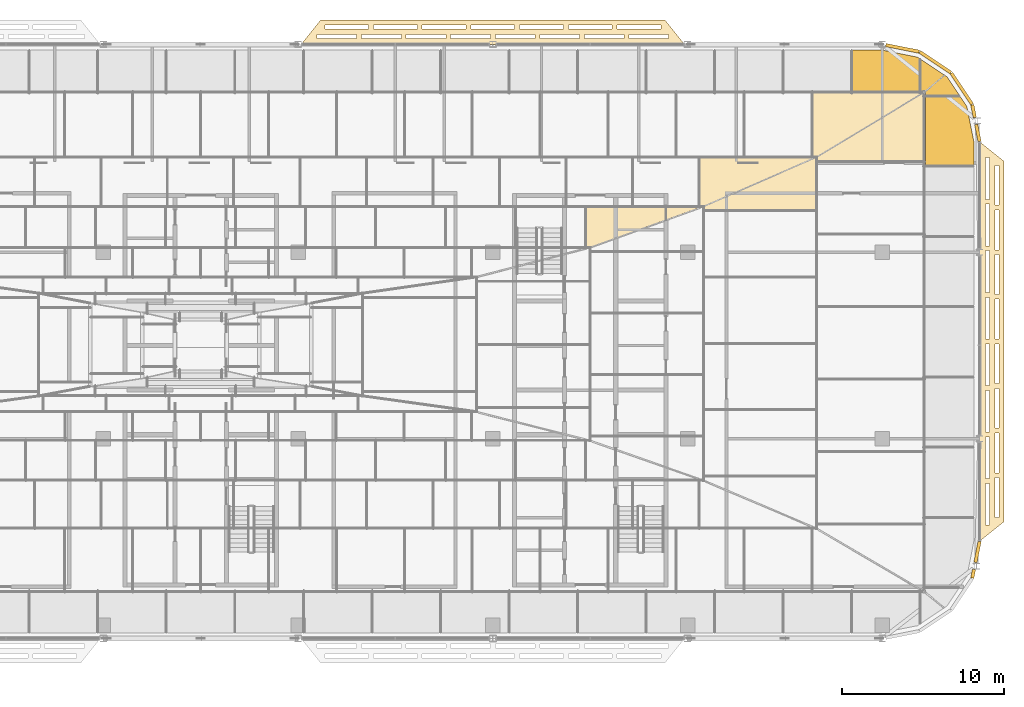
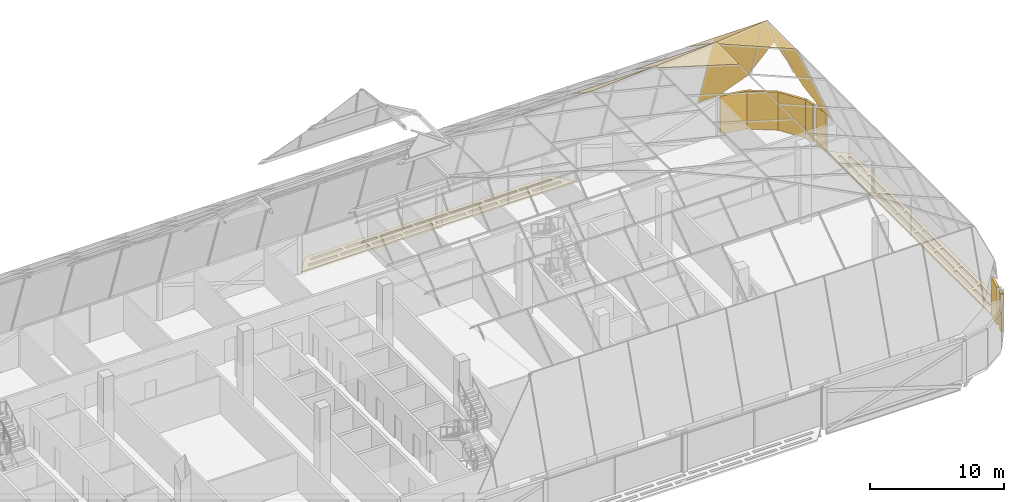
# One storey, part 39 of 39: 18 coverings.
"""IFC4 building model written with IfcOpenShell, lengths in metres."""

from ifc_helpers import new_model, si_unit, direction, frame, origin, origin_2d, place, context, subcontext, project, spatial, polyline, rectangle, outline, extrude, material, layer, layer_set, type_object, element, save


model = new_model("IFC4")

# Units and contexts
model_context = context("Model", 3, precision=1e-05, world=origin(), true_north=direction((0.0, 1.0)))
body_context = subcontext(model_context, "Body", "Model", "MODEL_VIEW")
ifc_project = project(units=[si_unit("LENGTHUNIT", "METRE"), si_unit("AREAUNIT", "SQUARE_METRE"), si_unit("VOLUMEUNIT", "CUBIC_METRE"), si_unit("PLANEANGLEUNIT", "RADIAN"), si_unit("MASSUNIT", "GRAM", prefix="KILO")], contexts=[model_context])

# Site, building, storey
site_placement = place(None, origin())
site = spatial("IfcSite", under=ifc_project, at=site_placement, CompositionType="ELEMENT")
building_placement = place(site_placement, origin())
building = spatial("IfcBuilding", under=site, at=building_placement, Name="Mahtab Terrace Research Tower", CompositionType="ELEMENT")
storey_placement = place(building_placement, frame((0.0, 0.0, 282.300048828125)))
storey = spatial("IfcBuildingStorey", under=building, at=storey_placement, Name="L69", CompositionType="ELEMENT", Elevation=282.300048828125)

# Coverings
ifc_material_1 = material(Name="Black aluminium cladding panel", Category="aluminium")
ifc_layer_1 = layer(ifc_material_1, 0.199951171875)
ifc_layer_set_1 = layer_set([ifc_layer_1], Name="Black metal corner cladding 200")
covering_type_1 = type_object("IfcCoveringType", Name="Black metal corner cladding 200", PredefinedType="CLADDING", material=ifc_layer_set_1)
for number, where, z_axis, x_axis, name in (
    (1, (46.89306640625, 21.576416015625, 0.0), (0.0, 0.0, 1.0), (-0.555291490808, 0.831655794326, 0.0), "Corner cladding L69 0"),
    (2, (45.26953125, 23.199951171875, 0.0), (0.0, 0.0, 1.0), (-0.831655794326, 0.555291490808, 0.0), "Corner cladding L69 1"),
):
    element("IfcCovering", number, at=place(storey_placement, frame(where, z_axis=z_axis, x_axis=x_axis)), inside=storey, type_object=covering_type_1, Name=name, PredefinedType="CLADDING", context=body_context, shape_type="SweptSolid", body=[
        extrude(rectangle(XDim=2.30126953125, YDim=0.199951171875, at=origin_2d()), origin(), (0.0, 0.0, 1.0), 3.4599609375),
    ])
covering_1_placement = place(storey_placement, frame((43.24658203125, 24.058837890625, 0.0), z_axis=(0.0, 0.0, 1.0), x_axis=(-0.980760981187, 0.195212442692, 0.0)))
element("IfcCovering", 3, at=covering_1_placement, inside=storey, type_object=covering_type_1, Name="Corner cladding L69 2", PredefinedType="CLADDING", context=body_context, shape_type="SweptSolid", body=[
    extrude(rectangle(XDim=2.10009765625, YDim=0.199951171875, at=origin_2d()), origin(), (0.0, 0.0, 1.0), 3.4599609375),
])
covering_2_placement = place(storey_placement, frame((47.6005859375, -8.314208984375, 0.0), z_axis=(0.0, 0.0, 1.0), x_axis=(0.195212442692, 0.980760981187, 0.0)))
element("IfcCovering", 4, at=covering_2_placement, inside=storey, type_object=covering_type_1, Name="Corner cladding L69 33", PredefinedType="CLADDING", context=body_context, shape_type="SweptSolid", body=[
    extrude(rectangle(XDim=0.54931640625, YDim=0.199951171875, at=origin_2d()), origin(), (0.0, 0.0, 1.0), 3.4599609375),
])
covering_3_placement = place(storey_placement, frame((47.8681640625, -6.96875, 0.0), z_axis=(0.0, 0.0, 1.0), x_axis=(0.195212442692, 0.980760981187, 0.0)))
element("IfcCovering", 5, at=covering_3_placement, inside=storey, type_object=covering_type_1, Name="Corner cladding L69 34", PredefinedType="CLADDING", context=body_context, shape_type="SweptSolid", body=[
    extrude(rectangle(XDim=1.309814453125, YDim=0.199951171875, at=origin_2d()), origin(), (0.0, 0.0, 1.0), 3.4599609375),
])
covering_4_placement = place(storey_placement, frame((47.892578125, 18.84619140625, 0.0), z_axis=(0.0, 0.0, 1.0), x_axis=(-0.195212442692, 0.980760981187, 0.0)))
element("IfcCovering", 6, at=covering_4_placement, inside=storey, type_object=covering_type_1, Name="Corner cladding L69 38", PredefinedType="CLADDING", context=body_context, shape_type="SweptSolid", body=[
    extrude(rectangle(XDim=1.06005859375, YDim=0.199951171875, at=origin_2d()), origin(), (0.0, 0.0, 1.0), 3.4599609375),
])
covering_5_placement = place(storey_placement, frame((47.625, 20.191650390625, 0.0), z_axis=(0.0, 0.0, 1.0), x_axis=(-0.195212442692, 0.980760981187, 0.0)))
element("IfcCovering", 7, at=covering_5_placement, inside=storey, type_object=covering_type_1, Name="Corner cladding L69 39", PredefinedType="CLADDING", context=body_context, shape_type="SweptSolid", body=[
    extrude(rectangle(XDim=0.799072265625, YDim=0.199951171875, at=origin_2d()), origin(), (0.0, 0.0, 1.0), 3.4599609375),
])
ifc_material_2 = material(Name="Turquoise ceramic tile cladding", Category="ceramic")
ifc_layer_2 = layer(ifc_material_2, 0.0400390625)
ifc_layer_set_2 = layer_set([ifc_layer_2], Name="Crown hip cladding panel")
covering_type_2 = type_object("IfcCoveringType", Name="Crown hip cladding panel", PredefinedType="CLADDING", material=ifc_layer_set_2)
covering_6_placement = place(storey_placement, frame((46.784912109375, 21.10791015625, 5.932373046875), z_axis=(0.926649898058, -8.921849e-06, 0.375925479783), x_axis=(0.327597632154, -0.490477601821, -0.807534218172)))
element("IfcCovering", 8, at=covering_6_placement, inside=storey, type_object=covering_type_2, Name="CWC-E1 hip cladding 8", PredefinedType="CLADDING", context=body_context, shape_type="SweptSolid", body=[
    extrude(outline(polyline([(0.0, 0.0), (1.3076181635763853, -5.551115123125783e-17), (3.396017856392894, -1.34232994077284), (4.1273036753185135, -2.641638618587714), (-2.8318034139808077, -6.5584109860689495), (-4.953813565803453, -2.788139317564384), (0.0, 0.0)])), origin(), (0.0, 0.0, -1.0), 0.0400390625),
])
covering_7_placement = place(storey_placement, frame((45.82568359375, 22.407958984375, 8.29736328125), z_axis=(0.92666282551, -5.0405544e-05, 0.375893608987), x_axis=(0.364545123462, -0.243744019015, -0.898718925001)))
element("IfcCovering", 9, at=covering_7_placement, inside=storey, type_object=covering_type_2, Name="CWC-E1 hip cladding 9", PredefinedType="CLADDING", context=body_context, shape_type="SweptSolid", body=[
    extrude(outline(polyline([(0.0, 0.0), (0.45273552317086624, -1.3877787807814457e-17), (2.7920226850143104, -0.6387757308513972), (-2.7210688656400652, -2.0243482532835815), (-2.7942039729079213, -1.7333490176911732), (0.0, 0.0)])), origin(), (0.0, 0.0, -1.0), 0.0400390625),
])
covering_8_placement = place(storey_placement, frame((37.97705078125, 17.38427734375, 14.0), z_axis=(0.387029381179, 0.0, 0.922067382627), x_axis=(0.805824087168, 0.486048410943, -0.33823731722)))
element("IfcCovering", 10, at=covering_8_placement, inside=storey, type_object=covering_type_2, Name="CWC-E2 hip cladding 7", PredefinedType="CLADDING", context=body_context, shape_type="SweptSolid", body=[
    extrude(outline(polyline([(0.0, 0.0), (8.278355715262956, -3.3306690738754696e-16), (6.176813391580904, -3.778645925218469), (-0.14583825611548512, -0.2622222384016656), (0.0, 0.0)])), origin(), (0.0, 0.0, -1.0), 0.0400390625),
])
covering_9_placement = place(storey_placement, frame((31.020263671875, 14.34375, 16.099853515625), z_axis=(0.288965667694, 0.0, 0.957339460638), x_axis=(0.883149133651, 0.385988394823, -0.266571879225)))
element("IfcCovering", 11, at=covering_9_placement, inside=storey, type_object=covering_type_2, Name="CWC-E3 hip cladding 6", PredefinedType="CLADDING", context=body_context, shape_type="SweptSolid", body=[
    extrude(outline(polyline([(0.0, 0.0), (7.87725067522548, -1.942890293094024e-16), (6.587827040858925, -3.0816936660278187), (-0.11581536553654143, -0.27679613502508144), (0.0, 0.0)])), origin(), (0.0, 0.0, -1.0), 0.0400390625),
])
covering_10_placement = place(storey_placement, frame((44.34814453125, 21.407958984375, 11.199951171875), z_axis=(1.2193693e-05, 0.945476558074, 0.325690156412), x_axis=(-0.999999999926, 1.1528851e-05, 3.971366e-06)))
element("IfcCovering", 12, at=covering_10_placement, inside=storey, type_object=covering_type_2, Name="CWC-N1 hip cladding 22", PredefinedType="CLADDING", context=body_context, shape_type="SweptSolid", body=[
    extrude(outline(polyline([(0.0, 0.0), (4.223632812186002, 3.577556149291845e-21), (4.223632812341108, -7.826641943531945), (2.382568359352979, -7.826641943531945), (0.18872070282375678, -6.485694810644206), (-1.2033471683669118e-09, -6.09911411526744), (0.0, 0.0)])), origin(), (0.0, 0.0, -1.0), 0.0400390625),
])
covering_11_placement = place(storey_placement, frame((44.64794921875, 21.407958984375, 11.199951171875), z_axis=(-0.000111718739, 0.945480033428, 0.325680048373), x_axis=(-0.999999993759, -0.000105627838, -3.6384565e-05)))
element("IfcCovering", 13, at=covering_11_placement, inside=storey, type_object=covering_type_2, Name="CWC-N1 hip cladding 23", PredefinedType="CLADDING", context=body_context, shape_type="SweptSolid", body=[
    extrude(outline(polyline([(0.0, 0.0), (0.2998046856290574, 2.031555584430236e-21), (0.2998046893709427, -6.099114115973862), (-1.1777343860915819, -3.0700189633869006), (0.0, 0.0)])), origin(), (0.0, 0.0, -1.0), 0.0400390625),
])
covering_12_placement = place(storey_placement, frame((44.64794921875, 21.407958984375, 11.199951171875), z_axis=(0.0, 0.571197269128, 0.820812816506), x_axis=(-0.805824087168, -0.486048410943, 0.33823731722)))
element("IfcCovering", 14, at=covering_12_placement, inside=storey, type_object=covering_type_2, Name="CWC-N2 hip cladding 20", PredefinedType="CLADDING", context=body_context, shape_type="SweptSolid", body=[
    extrude(outline(polyline([(0.0, 0.0), (8.278355715262956, -2.220446049250313e-16), (8.520142288292474, -0.17767541293557376), (5.6173572170153605, -4.127881257566661), (0.0, 0.0)])), origin(), (0.0, 0.0, -1.0), 0.0400390625),
])
covering_13_placement = place(storey_placement, frame((37.97705078125, 17.38427734375, 14.0), z_axis=(0.0, 0.568271672789, 0.822840996734), x_axis=(-0.883149133651, -0.385988394823, 0.266571879225)))
element("IfcCovering", 15, at=covering_13_placement, inside=storey, type_object=covering_type_2, Name="CWC-N3 hip cladding 17", PredefinedType="CLADDING", context=body_context, shape_type="SweptSolid", body=[
    extrude(outline(polyline([(0.0, 0.0), (7.87725067522548, 2.220446049250313e-16), (8.14223853783699, -0.14075060187355937), (6.408868371248599, -3.404126029365076), (0.0, 0.0)])), origin(), (0.0, 0.0, -1.0), 0.0400390625),
])
covering_14_placement = place(storey_placement, frame((31.020263671875, 14.34375, 16.099853515625), z_axis=(0.0, 0.557653368121, 0.830073925035), x_axis=(-0.916909927481, -0.331277693642, 0.22255622791)))
element("IfcCovering", 16, at=covering_14_placement, inside=storey, type_object=covering_type_2, Name="CWC-N4 hip cladding 13", PredefinedType="CLADDING", context=body_context, shape_type="SweptSolid", body=[
    extrude(outline(polyline([(0.0, 0.0), (7.63939669746664, 5.551115123125783e-16), (7.914514446703582, -0.11974774868023486), (6.697740485898541, -2.9152584544447904), (0.0, 0.0)])), origin(), (0.0, 0.0, -1.0), 0.0400390625),
])
ifc_material_3 = material(Name="Black anodised aluminium", Category="aluminium")
ifc_layer_3 = layer(ifc_material_3, 0.14990234375)
ifc_layer_set_3 = layer_set([ifc_layer_3], Name="Horizontal sunshade band")
covering_type_3 = type_object("IfcCoveringType", Name="Horizontal sunshade band", PredefinedType="CLADDING", material=ifc_layer_set_3)
covering_15_placement = place(storey_placement, frame((0.0, 0.0, -0.150146484375)))
element("IfcCovering", 17, at=covering_15_placement, inside=storey, type_object=covering_type_3, Name="Sunshade band L69 4", PredefinedType="CLADDING", context=body_context, shape_type="SweptSolid", body=[
    extrude(outline(polyline([(29.81201171875, 24.306884765625), (6.18798828125, 24.306884765625), (7.387939453125, 25.806884765625), (28.612060546875, 25.806884765625), (29.81201171875, 24.306884765625)]), holes=[polyline([(28.83203125, 24.656982421875), (26.386962890625, 24.656982421875), (26.386962890625, 24.906982421875), (28.83203125, 24.906982421875), (28.83203125, 24.656982421875)]), polyline([(26.0869140625, 24.656982421875), (23.64111328125, 24.656982421875), (23.64111328125, 24.906982421875), (26.0869140625, 24.906982421875), (26.0869140625, 24.656982421875)]), polyline([(23.341064453125, 24.656982421875), (20.89599609375, 24.656982421875), (20.89599609375, 24.906982421875), (23.341064453125, 24.906982421875), (23.341064453125, 24.656982421875)]), polyline([(20.595947265625, 24.656982421875), (18.14990234375, 24.656982421875), (18.14990234375, 24.906982421875), (20.595947265625, 24.906982421875), (20.595947265625, 24.656982421875)]), polyline([(17.85009765625, 24.656982421875), (15.405029296875, 24.656982421875), (15.405029296875, 24.906982421875), (17.85009765625, 24.906982421875), (17.85009765625, 24.656982421875)]), polyline([(15.10498046875, 24.656982421875), (12.658935546875, 24.656982421875), (12.658935546875, 24.906982421875), (15.10498046875, 24.906982421875), (15.10498046875, 24.656982421875)]), polyline([(12.35888671875, 24.656982421875), (9.9130859375, 24.656982421875), (9.9130859375, 24.906982421875), (12.35888671875, 24.906982421875), (12.35888671875, 24.656982421875)]), polyline([(9.614013671875, 24.656982421875), (7.16796875, 24.656982421875), (7.16796875, 24.906982421875), (9.614013671875, 24.906982421875), (9.614013671875, 24.656982421875)]), polyline([(28.35205078125, 25.257080078125), (25.65087890625, 25.257080078125), (25.65087890625, 25.507080078125), (28.35205078125, 25.507080078125), (28.35205078125, 25.257080078125)]), polyline([(25.35107421875, 25.257080078125), (22.65087890625, 25.257080078125), (22.65087890625, 25.507080078125), (25.35107421875, 25.507080078125), (25.35107421875, 25.257080078125)]), polyline([(22.35107421875, 25.257080078125), (19.64990234375, 25.257080078125), (19.64990234375, 25.507080078125), (22.35107421875, 25.507080078125), (22.35107421875, 25.257080078125)]), polyline([(19.35009765625, 25.257080078125), (16.64990234375, 25.257080078125), (16.64990234375, 25.507080078125), (19.35009765625, 25.507080078125), (19.35009765625, 25.257080078125)]), polyline([(16.35009765625, 25.257080078125), (13.64892578125, 25.257080078125), (13.64892578125, 25.507080078125), (16.35009765625, 25.507080078125), (16.35009765625, 25.257080078125)]), polyline([(13.34912109375, 25.257080078125), (10.64892578125, 25.257080078125), (10.64892578125, 25.507080078125), (13.34912109375, 25.507080078125), (13.34912109375, 25.257080078125)]), polyline([(10.34912109375, 25.257080078125), (7.64794921875, 25.257080078125), (7.64794921875, 25.507080078125), (10.34912109375, 25.507080078125), (10.34912109375, 25.257080078125)])]), origin(), (0.0, 0.0, 1.0), 0.150146484375),
])
covering_16_placement = place(storey_placement, frame((0.0, 0.0, -0.150146484375)))
element("IfcCovering", 18, at=covering_16_placement, inside=storey, type_object=covering_type_3, Name="Sunshade band L69 35", PredefinedType="CLADDING", context=body_context, shape_type="SweptSolid", body=[
    extrude(outline(polyline([(48.0, -6.306884765625), (48.0, 18.306884765625), (49.5, 17.10693359375), (49.5, -5.10693359375), (48.0, -6.306884765625)]), holes=[polyline([(48.35009765625, -5.326904296875), (48.35009765625, -2.758056640625), (48.60009765625, -2.758056640625), (48.60009765625, -5.326904296875), (48.35009765625, -5.326904296875)]), polyline([(48.35009765625, -2.4580078125), (48.35009765625, 0.111083984375), (48.60009765625, 0.111083984375), (48.60009765625, -2.4580078125), (48.35009765625, -2.4580078125)]), polyline([(48.35009765625, 0.410888671875), (48.35009765625, 2.98095703125), (48.60009765625, 2.98095703125), (48.60009765625, 0.410888671875), (48.35009765625, 0.410888671875)]), polyline([(48.35009765625, 3.281005859375), (48.35009765625, 5.85009765625), (48.60009765625, 5.85009765625), (48.60009765625, 3.281005859375), (48.35009765625, 3.281005859375)]), polyline([(48.35009765625, 6.14990234375), (48.35009765625, 8.718994140625), (48.60009765625, 8.718994140625), (48.60009765625, 6.14990234375), (48.35009765625, 6.14990234375)]), polyline([(48.35009765625, 9.01904296875), (48.35009765625, 11.587890625), (48.60009765625, 11.587890625), (48.60009765625, 9.01904296875), (48.35009765625, 9.01904296875)]), polyline([(48.35009765625, 11.887939453125), (48.35009765625, 14.4580078125), (48.60009765625, 14.4580078125), (48.60009765625, 11.887939453125), (48.35009765625, 11.887939453125)]), polyline([(48.35009765625, 14.758056640625), (48.35009765625, 17.326904296875), (48.60009765625, 17.326904296875), (48.60009765625, 14.758056640625), (48.35009765625, 14.758056640625)]), polyline([(48.949951171875, -4.846923828125), (48.949951171875, -2.39794921875), (49.199951171875, -2.39794921875), (49.199951171875, -4.846923828125), (48.949951171875, -4.846923828125)]), polyline([(48.949951171875, -2.097900390625), (48.949951171875, 0.35107421875), (49.199951171875, 0.35107421875), (49.199951171875, -2.097900390625), (48.949951171875, -2.097900390625)]), polyline([(48.949951171875, 0.65087890625), (48.949951171875, 3.10107421875), (49.199951171875, 3.10107421875), (49.199951171875, 0.65087890625), (48.949951171875, 0.65087890625)]), polyline([(48.949951171875, 3.40087890625), (48.949951171875, 5.85009765625), (49.199951171875, 5.85009765625), (49.199951171875, 3.40087890625), (48.949951171875, 3.40087890625)]), polyline([(48.949951171875, 6.14990234375), (48.949951171875, 8.59912109375), (49.199951171875, 8.59912109375), (49.199951171875, 6.14990234375), (48.949951171875, 6.14990234375)]), polyline([(48.949951171875, 8.89892578125), (48.949951171875, 11.347900390625), (49.199951171875, 11.347900390625), (49.199951171875, 8.89892578125), (48.949951171875, 8.89892578125)]), polyline([(48.949951171875, 11.64794921875), (48.949951171875, 14.097900390625), (49.199951171875, 14.097900390625), (49.199951171875, 11.64794921875), (48.949951171875, 11.64794921875)]), polyline([(48.949951171875, 14.39794921875), (48.949951171875, 16.846923828125), (49.199951171875, 16.846923828125), (49.199951171875, 14.39794921875), (48.949951171875, 14.39794921875)])]), origin(), (0.0, 0.0, 1.0), 0.150146484375),
])

save(model, "model.ifc")
